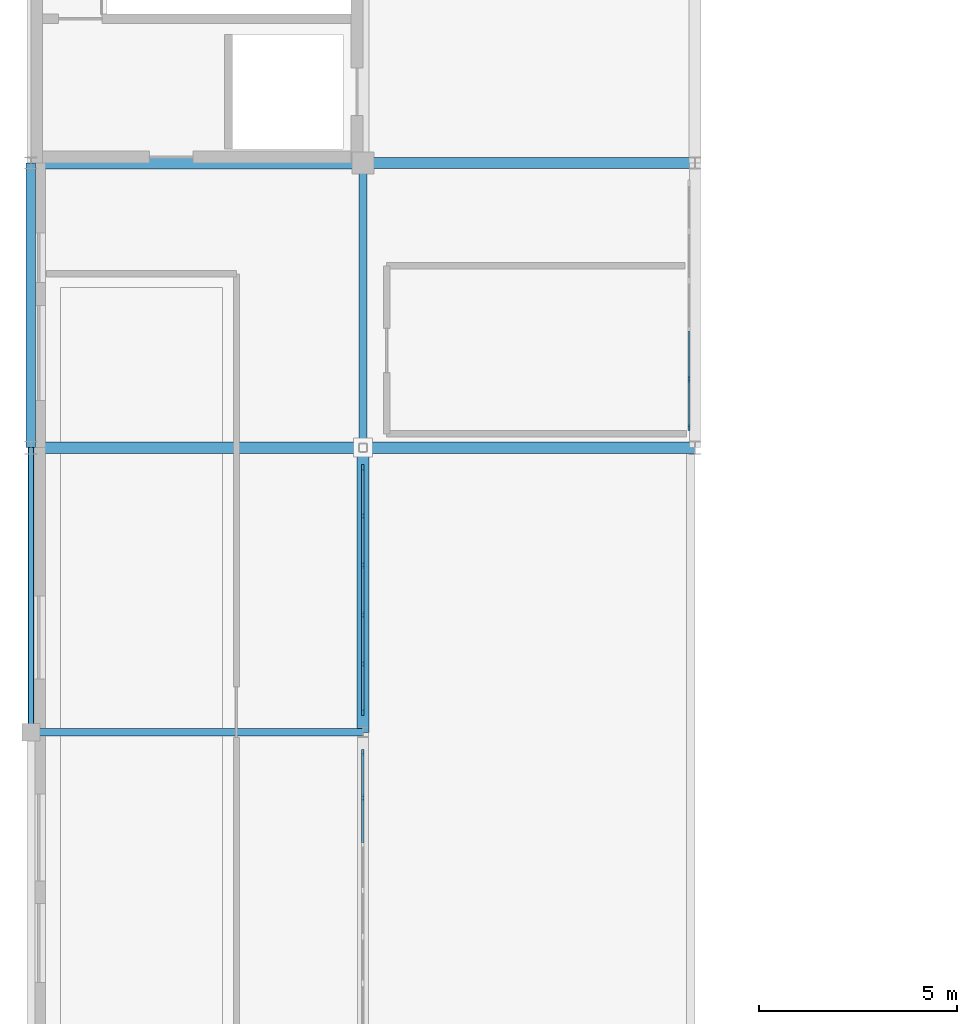
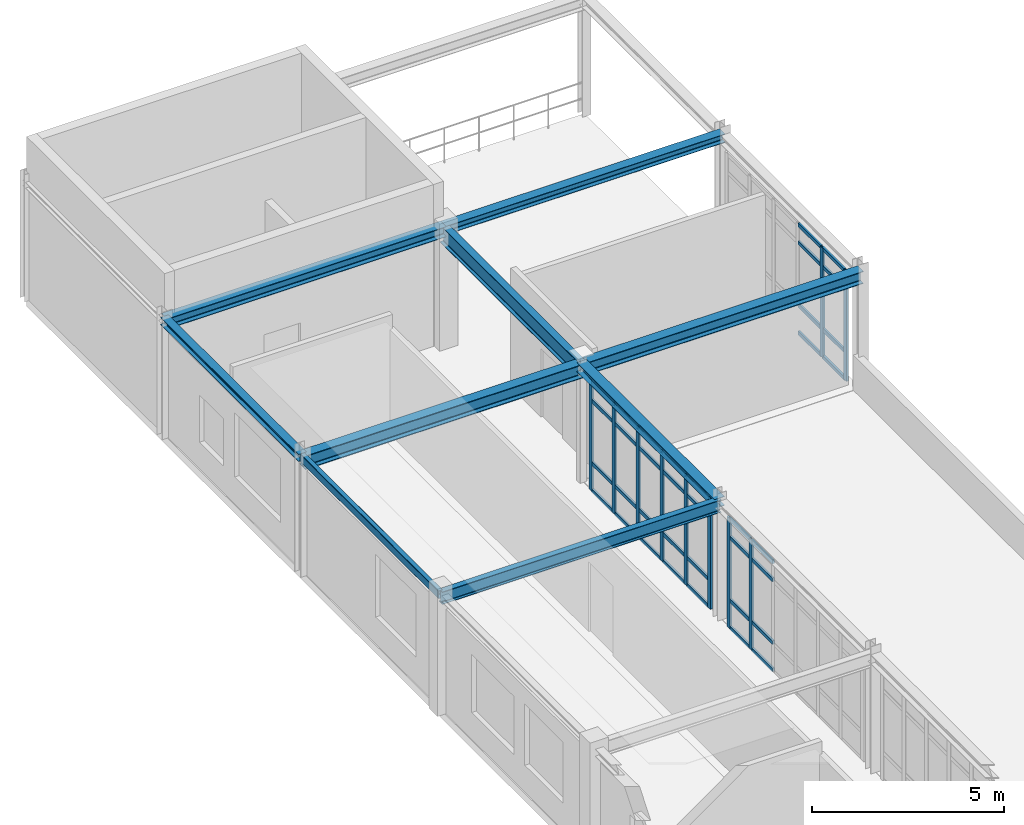
# One storey, part 12 of 58: 46 members, 9 beams, 3 elements without a shape of their own.
"""IFC4 building model written with IfcOpenShell, lengths in metres."""

from ifc_helpers import new_model, si_unit, derived_unit, direction, frame, origin, origin_2d, place, context, subcontext, project, spatial, rectangle, hollow_rectangle, i_section, extrude, material, layer, layer_set, material_profile, profile_set, type_object, element, aggregate, save


model = new_model("IFC4")

# Units and contexts
model_context = context("Model", 3, precision=1e-05, world=origin(), true_north=direction((0.0, 1.0)))
body_context = subcontext(model_context, "Body", "Model", "MODEL_VIEW")
ifc_project = project(units=[si_unit("LENGTHUNIT", "METRE"), si_unit("AREAUNIT", "SQUARE_METRE"), si_unit("VOLUMEUNIT", "CUBIC_METRE"), si_unit("PLANEANGLEUNIT", "RADIAN"), si_unit("MASSUNIT", "GRAM", prefix="KILO"), derived_unit("THERMALTRANSMITTANCEUNIT", [(si_unit("POWERUNIT", "WATT"), 1), (si_unit("AREAUNIT", "SQUARE_METRE"), -1), (si_unit("THERMODYNAMICTEMPERATUREUNIT", "KELVIN"), -1)])], contexts=[model_context])

# Site, building, storey
site_placement = place(None, origin())
site = spatial("IfcSite", under=ifc_project, at=site_placement, CompositionType="ELEMENT")
building_placement = place(site_placement, origin())
building = spatial("IfcBuilding", under=site, at=building_placement, Name="Yasenodar Specialist Clinic", CompositionType="ELEMENT")
storey_placement = place(building_placement, frame((0.0, 0.0, 21.300048828125)))
storey = spatial("IfcBuildingStorey", under=building, at=storey_placement, Name="L05", CompositionType="ELEMENT", Elevation=21.300048828125)

# Beams
ifc_material_1 = material(Name="Steel S355", Category="steel")
ifc_material_profile_1 = material_profile(ifc_material_1, i_section(OverallWidth=0.280029296875, OverallDepth=0.27001953125, WebThickness=0.008056640625, FlangeThickness=0.012939453125, FilletRadius=0.02392578125, at=origin_2d()), Name="HEA 280")
ifc_profile_set_1 = profile_set([ifc_material_profile_1], Name="Steel S355")
beam_type_1 = type_object("IfcBeamType", Name="BM-HEA280", PredefinedType="BEAM", material=ifc_profile_set_1)
beam_1_placement = place(storey_placement, frame((8.39990234375, 97.199951171875, 3.6650390625), z_axis=(1.0, 0.0, 0.0), x_axis=(0.0, 1.0, 0.0)))
element("IfcBeam", 1, at=beam_1_placement, inside=storey, type_object=beam_type_1, Name="L05 Primary E-W Girder", PredefinedType="BEAM", context=body_context, shape_type="SweptSolid", body=[
    extrude(i_section(OverallWidth=0.280029296875, OverallDepth=0.27001953125, WebThickness=0.008056640625, FlangeThickness=0.012939453125, FilletRadius=0.02392578125, at=origin_2d()), origin(), (0.0, 0.0, 1.0), 8.400146484375),
])
ifc_material_profile_2 = material_profile(ifc_material_1, i_section(OverallWidth=0.300048828125, OverallDepth=0.2900390625, WebThickness=0.008544921875, FlangeThickness=0.013916015625, FilletRadius=0.027099609375, at=origin_2d()), Name="HEA 300")
ifc_profile_set_2 = profile_set([ifc_material_profile_2], Name="Steel S355")
beam_type_2 = type_object("IfcBeamType", Name="BM-HEA300", PredefinedType="BEAM", material=ifc_profile_set_2)
beam_2_placement = place(storey_placement, frame((8.39990234375, 82.800048828125, 3.655029296875), z_axis=(0.0, 1.0, 0.0), x_axis=(-1.0, 0.0, 0.0)))
element("IfcBeam", 2, at=beam_2_placement, inside=storey, type_object=beam_type_2, Name="L05 Primary N-S Girder", PredefinedType="BEAM", context=body_context, shape_type="SweptSolid", body=[
    extrude(i_section(OverallWidth=0.300048828125, OverallDepth=0.2900390625, WebThickness=0.008544921875, FlangeThickness=0.013916015625, FilletRadius=0.027099609375, at=origin_2d()), origin(), (0.0, 0.0, 1.0), 7.199951171875),
])
ifc_material_profile_3 = material_profile(ifc_material_1, i_section(OverallWidth=0.300048828125, OverallDepth=0.330078125, WebThickness=0.009521484375, FlangeThickness=0.0166015625, FilletRadius=0.027099609375, at=origin_2d()), Name="HEA 340")
ifc_profile_set_3 = profile_set([ifc_material_profile_3], Name="Steel S355")
beam_type_3 = type_object("IfcBeamType", Name="BM-HEA340", PredefinedType="BEAM", material=ifc_profile_set_3)
beam_3_placement = place(storey_placement, frame((0.0, 97.199951171875, 3.635009765625), z_axis=(1.0, 0.0, 0.0), x_axis=(0.0, 1.0, 0.0)))
element("IfcBeam", 3, at=beam_3_placement, inside=storey, type_object=beam_type_3, Name="L05 Primary E-W Girder", PredefinedType="BEAM", context=body_context, shape_type="SweptSolid", body=[
    extrude(i_section(OverallWidth=0.300048828125, OverallDepth=0.330078125, WebThickness=0.009521484375, FlangeThickness=0.0166015625, FilletRadius=0.027099609375, at=origin_2d()), origin(), (0.0, 0.0, 1.0), 8.39990234375),
])
ifc_material_profile_4 = material_profile(ifc_material_1, i_section(OverallWidth=0.300048828125, OverallDepth=0.389892578125, WebThickness=0.010986328125, FlangeThickness=0.01904296875, FilletRadius=0.027099609375, at=origin_2d()), Name="HEA 400")
ifc_profile_set_4 = profile_set([ifc_material_profile_4], Name="Steel S355")
beam_type_4 = type_object("IfcBeamType", Name="BM-HEA400", PredefinedType="BEAM", material=ifc_profile_set_4)
beam_4_placement = place(storey_placement, frame((8.39990234375, 90.0, 3.60498046875), z_axis=(1.0, 0.0, 0.0), x_axis=(0.0, 1.0, 0.0)))
element("IfcBeam", 4, at=beam_4_placement, inside=storey, type_object=beam_type_4, Name="L05 Primary E-W Girder", PredefinedType="BEAM", context=body_context, shape_type="SweptSolid", body=[
    extrude(i_section(OverallWidth=0.300048828125, OverallDepth=0.389892578125, WebThickness=0.010986328125, FlangeThickness=0.01904296875, FilletRadius=0.027099609375, at=origin_2d()), origin(), (0.0, 0.0, 1.0), 8.400146484375),
])
ifc_material_profile_5 = material_profile(ifc_material_1, i_section(OverallWidth=0.300048828125, OverallDepth=0.43994140625, WebThickness=0.011474609375, FlangeThickness=0.02099609375, FilletRadius=0.027099609375, at=origin_2d()), Name="HEA 450")
ifc_profile_set_5 = profile_set([ifc_material_profile_5], Name="Steel S355")
beam_type_5 = type_object("IfcBeamType", Name="BM-HEA450", PredefinedType="BEAM", material=ifc_profile_set_5)
beam_5_placement = place(storey_placement, frame((0.0, 90.0, 3.579833984375), z_axis=(1.0, 0.0, 0.0), x_axis=(0.0, 1.0, 0.0)))
element("IfcBeam", 5, at=beam_5_placement, inside=storey, type_object=beam_type_5, Name="L05 Primary E-W Girder", PredefinedType="BEAM", context=body_context, shape_type="SweptSolid", body=[
    extrude(i_section(OverallWidth=0.300048828125, OverallDepth=0.43994140625, WebThickness=0.011474609375, FlangeThickness=0.02099609375, FilletRadius=0.027099609375, at=origin_2d()), origin(), (0.0, 0.0, 1.0), 8.39990234375),
])
ifc_material_profile_6 = material_profile(ifc_material_1, i_section(OverallWidth=0.179931640625, OverallDepth=0.39990234375, WebThickness=0.008544921875, FlangeThickness=0.013427734375, FilletRadius=0.02099609375, at=origin_2d()), Name="IPE 400")
ifc_profile_set_6 = profile_set([ifc_material_profile_6], Name="Steel S355")
beam_type_6 = type_object("IfcBeamType", Name="BM-IPE400", PredefinedType="BEAM", material=ifc_profile_set_6)
beam_6_placement = place(storey_placement, frame((0.0, 82.800048828125, 3.599853515625), z_axis=(1.0, 0.0, 0.0), x_axis=(0.0, 1.0, 0.0)))
element("IfcBeam", 6, at=beam_6_placement, inside=storey, type_object=beam_type_6, Name="L05 Primary E-W Girder", PredefinedType="BEAM", context=body_context, shape_type="SweptSolid", body=[
    extrude(i_section(OverallWidth=0.179931640625, OverallDepth=0.39990234375, WebThickness=0.008544921875, FlangeThickness=0.013427734375, FilletRadius=0.02099609375, at=origin_2d()), origin(), (0.0, 0.0, 1.0), 8.39990234375),
])
ifc_material_profile_7 = material_profile(ifc_material_1, i_section(OverallWidth=0.2099609375, OverallDepth=0.550048828125, WebThickness=0.010986328125, FlangeThickness=0.01708984375, FilletRadius=0.02392578125, at=origin_2d()), Name="IPE 550")
ifc_profile_set_7 = profile_set([ifc_material_profile_7], Name="Steel S355")
beam_type_7 = type_object("IfcBeamType", Name="BM-IPE550", PredefinedType="BEAM", material=ifc_profile_set_7)
beam_7_placement = place(storey_placement, frame((8.39990234375, 90.0, 3.52490234375), z_axis=(0.0, 1.0, 0.0), x_axis=(-1.0, 0.0, 0.0)))
element("IfcBeam", 7, at=beam_7_placement, inside=storey, type_object=beam_type_7, Name="L05 Primary N-S Girder", PredefinedType="BEAM", context=body_context, shape_type="SweptSolid", body=[
    extrude(i_section(OverallWidth=0.2099609375, OverallDepth=0.550048828125, WebThickness=0.010986328125, FlangeThickness=0.01708984375, FilletRadius=0.02392578125, at=origin_2d()), origin(), (0.0, 0.0, 1.0), 7.199951171875),
])

# Curtain wall, members
ifc_material_2 = material(Name="Bronze Anodized Aluminium and Triple Low-E Glass", Category="aluminium")
ifc_layer = layer(ifc_material_2, 0.202880859375)
ifc_layer_set = layer_set([ifc_layer], Name="Bronze Anodized Aluminium and Triple Low-E Glass")
curtain_wall_type = type_object("IfcCurtainWallType", Name="CW-SYS-04", PredefinedType="USERDEFINED", material=ifc_layer_set)
curtain_wall_1_placement = place(storey_placement, origin())
curtain_wall_1 = element("IfcCurtainWall", 8, at=curtain_wall_1_placement, inside=storey, type_object=curtain_wall_type, Name="L05 Unitised Curtain Wall 141", ObjectType="UNITISED CURTAIN WALL", PredefinedType="USERDEFINED")
ifc_material_3 = material(Name="Bronze Anodized Aluminium", Category="aluminium")
ifc_material_profile_8 = material_profile(ifc_material_3, rectangle(XDim=0.06005859375, YDim=0.159912109375, at=origin_2d()), Name="CW-MULL 60x160")
ifc_profile_set_8 = profile_set([ifc_material_profile_8], Name="Bronze Anodized Aluminium")
member_type_1 = type_object("IfcMemberType", Name="CW-MULL-160", PredefinedType="MULLION", material=ifc_profile_set_8)
member_1_placement = place(storey_placement, frame((16.64990234375, 91.72802734375, 0.0), z_axis=(0.0, 0.0, 1.0), x_axis=(1.0, 0.0, 0.0)))
member_1 = element("IfcMember", 9, at=member_1_placement, type_object=member_type_1, Name="CW-04 mullion 5", PredefinedType="MULLION", context=body_context, shape_type="SweptSolid", body=[
    extrude(rectangle(XDim=0.06005859375, YDim=0.159912109375, at=origin_2d()), origin(), (0.0, 0.0, 1.0), 3.498046875),
])
member_2_placement = place(storey_placement, frame((16.64990234375, 90.510009765625, 0.0), z_axis=(0.0, 0.0, 1.0), x_axis=(1.0, 0.0, 0.0)))
member_2 = element("IfcMember", 10, at=member_2_placement, type_object=member_type_1, Name="CW-04 mullion 6", PredefinedType="MULLION", context=body_context, shape_type="SweptSolid", body=[
    extrude(rectangle(XDim=0.06005859375, YDim=0.159912109375, at=origin_2d()), origin(), (0.0, 0.0, 1.0), 3.498046875),
])

curtain_wall_2_placement = place(storey_placement, origin())
curtain_wall_2 = element("IfcCurtainWall", 11, at=curtain_wall_2_placement, inside=storey, type_object=curtain_wall_type, Name="L05 Unitised Curtain Wall 142", ObjectType="UNITISED CURTAIN WALL", PredefinedType="USERDEFINED")
member_3_placement = place(storey_placement, frame((8.39990234375, 89.489990234375, 0.0), z_axis=(0.0, 0.0, 1.0), x_axis=(1.0, 0.0, 0.0)))
member_3 = element("IfcMember", 12, at=member_3_placement, type_object=member_type_1, Name="CW-04 mullion 1", PredefinedType="MULLION", context=body_context, shape_type="SweptSolid", body=[
    extrude(rectangle(XDim=0.06005859375, YDim=0.159912109375, at=origin_2d()), origin(), (0.0, 0.0, 1.0), 3.488037109375),
])
member_4_placement = place(storey_placement, frame((8.39990234375, 88.27197265625, 0.0), z_axis=(0.0, 0.0, 1.0), x_axis=(1.0, 0.0, 0.0)))
member_4 = element("IfcMember", 13, at=member_4_placement, type_object=member_type_1, Name="CW-04 mullion 2", PredefinedType="MULLION", context=body_context, shape_type="SweptSolid", body=[
    extrude(rectangle(XDim=0.06005859375, YDim=0.159912109375, at=origin_2d()), origin(), (0.0, 0.0, 1.0), 3.488037109375),
])
member_5_placement = place(storey_placement, frame((8.39990234375, 87.02392578125, 0.0), z_axis=(0.0, 0.0, 1.0), x_axis=(1.0, 0.0, 0.0)))
member_5 = element("IfcMember", 14, at=member_5_placement, type_object=member_type_1, Name="CW-04 mullion 3", PredefinedType="MULLION", context=body_context, shape_type="SweptSolid", body=[
    extrude(rectangle(XDim=0.06005859375, YDim=0.159912109375, at=origin_2d()), origin(), (0.0, 0.0, 1.0), 3.488037109375),
])
member_6_placement = place(storey_placement, frame((8.39990234375, 85.77587890625, 0.0), z_axis=(0.0, 0.0, 1.0), x_axis=(1.0, 0.0, 0.0)))
member_6 = element("IfcMember", 15, at=member_6_placement, type_object=member_type_1, Name="CW-04 mullion 4", PredefinedType="MULLION", context=body_context, shape_type="SweptSolid", body=[
    extrude(rectangle(XDim=0.06005859375, YDim=0.159912109375, at=origin_2d()), origin(), (0.0, 0.0, 1.0), 3.488037109375),
])
member_7_placement = place(storey_placement, frame((8.39990234375, 84.528076171875, 0.0), z_axis=(0.0, 0.0, 1.0), x_axis=(1.0, 0.0, 0.0)))
member_7 = element("IfcMember", 16, at=member_7_placement, type_object=member_type_1, Name="CW-04 mullion 5", PredefinedType="MULLION", context=body_context, shape_type="SweptSolid", body=[
    extrude(rectangle(XDim=0.06005859375, YDim=0.159912109375, at=origin_2d()), origin(), (0.0, 0.0, 1.0), 3.488037109375),
])
member_8_placement = place(storey_placement, frame((8.39990234375, 83.31005859375, 0.0), z_axis=(0.0, 0.0, 1.0), x_axis=(1.0, 0.0, 0.0)))
member_8 = element("IfcMember", 17, at=member_8_placement, type_object=member_type_1, Name="CW-04 mullion 6", PredefinedType="MULLION", context=body_context, shape_type="SweptSolid", body=[
    extrude(rectangle(XDim=0.06005859375, YDim=0.159912109375, at=origin_2d()), origin(), (0.0, 0.0, 1.0), 3.488037109375),
])

curtain_wall_3_placement = place(storey_placement, origin())
curtain_wall_3 = element("IfcCurtainWall", 18, at=curtain_wall_3_placement, inside=storey, type_object=curtain_wall_type, Name="L05 Unitised Curtain Wall 143", ObjectType="UNITISED CURTAIN WALL", PredefinedType="USERDEFINED")
member_9_placement = place(storey_placement, frame((8.39990234375, 82.2900390625, 0.0), z_axis=(0.0, 0.0, 1.0), x_axis=(1.0, 0.0, 0.0)))
member_9 = element("IfcMember", 19, at=member_9_placement, type_object=member_type_1, Name="CW-04 mullion 1", PredefinedType="MULLION", context=body_context, shape_type="SweptSolid", body=[
    extrude(rectangle(XDim=0.06005859375, YDim=0.159912109375, at=origin_2d()), origin(), (0.0, 0.0, 1.0), 3.498046875),
])
member_10_placement = place(storey_placement, frame((8.39990234375, 81.146728515625, 0.0), z_axis=(0.0, 0.0, 1.0), x_axis=(1.0, 0.0, 0.0)))
member_10 = element("IfcMember", 20, at=member_10_placement, type_object=member_type_1, Name="CW-04 mullion 2", PredefinedType="MULLION", context=body_context, shape_type="SweptSolid", body=[
    extrude(rectangle(XDim=0.06005859375, YDim=0.159912109375, at=origin_2d()), origin(), (0.0, 0.0, 1.0), 3.498046875),
])

# Member
ifc_material_profile_9 = material_profile(ifc_material_3, rectangle(XDim=0.06005859375, YDim=0.1201171875, at=origin_2d()), Name="CW-TRAN 60x120")
ifc_profile_set_9 = profile_set([ifc_material_profile_9], Name="Bronze Anodized Aluminium")
member_type_2 = type_object("IfcMemberType", Name="CW-TRAN-120", PredefinedType="USERDEFINED", material=ifc_profile_set_9)
member_11_placement = place(storey_placement, frame((16.64990234375, 92.946044921875, 0.030029296875), z_axis=(0.0, -1.0, 0.0), x_axis=(1.0, 0.0, 0.0)))
member_11 = element("IfcMember", 21, at=member_11_placement, type_object=member_type_2, Name="CW-04 transom 4.1", ObjectType="TRANSOM", PredefinedType="USERDEFINED", context=body_context, shape_type="SweptSolid", body=[
    extrude(rectangle(XDim=0.06005859375, YDim=0.1201171875, at=origin_2d()), origin(), (0.0, 0.0, 1.0), 1.18798828125),
])

member_12_placement = place(storey_placement, frame((16.64990234375, 92.946044921875, 0.89990234375), z_axis=(0.0, -1.0, 0.0), x_axis=(1.0, 0.0, 0.0)))
member_12 = element("IfcMember", 22, at=member_12_placement, type_object=member_type_2, Name="CW-04 transom 4.2", ObjectType="TRANSOM", PredefinedType="USERDEFINED", context=body_context, shape_type="SweptSolid", body=[
    extrude(rectangle(XDim=0.06005859375, YDim=0.1201171875, at=origin_2d()), origin(), (0.0, 0.0, 1.0), 1.18798828125),
])

member_13_placement = place(storey_placement, frame((16.64990234375, 92.946044921875, 2.89794921875), z_axis=(0.0, -1.0, 0.0), x_axis=(1.0, 0.0, 0.0)))
member_13 = element("IfcMember", 23, at=member_13_placement, type_object=member_type_2, Name="CW-04 transom 4.3", ObjectType="TRANSOM", PredefinedType="USERDEFINED", context=body_context, shape_type="SweptSolid", body=[
    extrude(rectangle(XDim=0.06005859375, YDim=0.1201171875, at=origin_2d()), origin(), (0.0, 0.0, 1.0), 1.18798828125),
])

member_14_placement = place(storey_placement, frame((16.64990234375, 92.946044921875, 3.468017578125), z_axis=(0.0, -1.0, 0.0), x_axis=(1.0, 0.0, 0.0)))
member_14 = element("IfcMember", 24, at=member_14_placement, type_object=member_type_2, Name="CW-04 transom 4.4", ObjectType="TRANSOM", PredefinedType="USERDEFINED", context=body_context, shape_type="SweptSolid", body=[
    extrude(rectangle(XDim=0.06005859375, YDim=0.1201171875, at=origin_2d()), origin(), (0.0, 0.0, 1.0), 1.18798828125),
])

member_15_placement = place(storey_placement, frame((16.64990234375, 91.697998046875, 0.030029296875), z_axis=(0.0, -1.0, 0.0), x_axis=(1.0, 0.0, 0.0)))
member_15 = element("IfcMember", 25, at=member_15_placement, type_object=member_type_2, Name="CW-04 transom 5.1", ObjectType="TRANSOM", PredefinedType="USERDEFINED", context=body_context, shape_type="SweptSolid", body=[
    extrude(rectangle(XDim=0.06005859375, YDim=0.1201171875, at=origin_2d()), origin(), (0.0, 0.0, 1.0), 1.157958984375),
])

member_16_placement = place(storey_placement, frame((16.64990234375, 91.697998046875, 0.89990234375), z_axis=(0.0, -1.0, 0.0), x_axis=(1.0, 0.0, 0.0)))
member_16 = element("IfcMember", 26, at=member_16_placement, type_object=member_type_2, Name="CW-04 transom 5.2", ObjectType="TRANSOM", PredefinedType="USERDEFINED", context=body_context, shape_type="SweptSolid", body=[
    extrude(rectangle(XDim=0.06005859375, YDim=0.1201171875, at=origin_2d()), origin(), (0.0, 0.0, 1.0), 1.157958984375),
])

member_17_placement = place(storey_placement, frame((16.64990234375, 91.697998046875, 2.89794921875), z_axis=(0.0, -1.0, 0.0), x_axis=(1.0, 0.0, 0.0)))
member_17 = element("IfcMember", 27, at=member_17_placement, type_object=member_type_2, Name="CW-04 transom 5.3", ObjectType="TRANSOM", PredefinedType="USERDEFINED", context=body_context, shape_type="SweptSolid", body=[
    extrude(rectangle(XDim=0.06005859375, YDim=0.1201171875, at=origin_2d()), origin(), (0.0, 0.0, 1.0), 1.157958984375),
])

member_18_placement = place(storey_placement, frame((16.64990234375, 91.697998046875, 3.468017578125), z_axis=(0.0, -1.0, 0.0), x_axis=(1.0, 0.0, 0.0)))
member_18 = element("IfcMember", 28, at=member_18_placement, type_object=member_type_2, Name="CW-04 transom 5.4", ObjectType="TRANSOM", PredefinedType="USERDEFINED", context=body_context, shape_type="SweptSolid", body=[
    extrude(rectangle(XDim=0.06005859375, YDim=0.1201171875, at=origin_2d()), origin(), (0.0, 0.0, 1.0), 1.157958984375),
])

aggregate(curtain_wall_1, [member_1, member_2, member_11, member_12, member_13, member_14, member_15, member_16, member_17, member_18])

member_19_placement = place(storey_placement, frame((8.39990234375, 89.4599609375, 0.030029296875), z_axis=(0.0, -1.0, 0.0), x_axis=(1.0, 0.0, 0.0)))
member_19 = element("IfcMember", 29, at=member_19_placement, type_object=member_type_2, Name="CW-04 transom 1.1", ObjectType="TRANSOM", PredefinedType="USERDEFINED", context=body_context, shape_type="SweptSolid", body=[
    extrude(rectangle(XDim=0.06005859375, YDim=0.1201171875, at=origin_2d()), origin(), (0.0, 0.0, 1.0), 1.157958984375),
])

member_20_placement = place(storey_placement, frame((8.39990234375, 89.4599609375, 0.89990234375), z_axis=(0.0, -1.0, 0.0), x_axis=(1.0, 0.0, 0.0)))
member_20 = element("IfcMember", 30, at=member_20_placement, type_object=member_type_2, Name="CW-04 transom 1.2", ObjectType="TRANSOM", PredefinedType="USERDEFINED", context=body_context, shape_type="SweptSolid", body=[
    extrude(rectangle(XDim=0.06005859375, YDim=0.1201171875, at=origin_2d()), origin(), (0.0, 0.0, 1.0), 1.157958984375),
])

member_21_placement = place(storey_placement, frame((8.39990234375, 89.4599609375, 2.887939453125), z_axis=(0.0, -1.0, 0.0), x_axis=(1.0, 0.0, 0.0)))
member_21 = element("IfcMember", 31, at=member_21_placement, type_object=member_type_2, Name="CW-04 transom 1.3", ObjectType="TRANSOM", PredefinedType="USERDEFINED", context=body_context, shape_type="SweptSolid", body=[
    extrude(rectangle(XDim=0.06005859375, YDim=0.1201171875, at=origin_2d()), origin(), (0.0, 0.0, 1.0), 1.157958984375),
])

member_22_placement = place(storey_placement, frame((8.39990234375, 89.4599609375, 3.4580078125), z_axis=(0.0, -1.0, 0.0), x_axis=(1.0, 0.0, 0.0)))
member_22 = element("IfcMember", 32, at=member_22_placement, type_object=member_type_2, Name="CW-04 transom 1.4", ObjectType="TRANSOM", PredefinedType="USERDEFINED", context=body_context, shape_type="SweptSolid", body=[
    extrude(rectangle(XDim=0.06005859375, YDim=0.1201171875, at=origin_2d()), origin(), (0.0, 0.0, 1.0), 1.157958984375),
])

member_23_placement = place(storey_placement, frame((8.39990234375, 88.241943359375, 0.030029296875), z_axis=(0.0, -1.0, 0.0), x_axis=(1.0, 0.0, 0.0)))
member_23 = element("IfcMember", 33, at=member_23_placement, type_object=member_type_2, Name="CW-04 transom 2.1", ObjectType="TRANSOM", PredefinedType="USERDEFINED", context=body_context, shape_type="SweptSolid", body=[
    extrude(rectangle(XDim=0.06005859375, YDim=0.1201171875, at=origin_2d()), origin(), (0.0, 0.0, 1.0), 1.18798828125),
])

member_24_placement = place(storey_placement, frame((8.39990234375, 88.241943359375, 0.89990234375), z_axis=(0.0, -1.0, 0.0), x_axis=(1.0, 0.0, 0.0)))
member_24 = element("IfcMember", 34, at=member_24_placement, type_object=member_type_2, Name="CW-04 transom 2.2", ObjectType="TRANSOM", PredefinedType="USERDEFINED", context=body_context, shape_type="SweptSolid", body=[
    extrude(rectangle(XDim=0.06005859375, YDim=0.1201171875, at=origin_2d()), origin(), (0.0, 0.0, 1.0), 1.18798828125),
])

member_25_placement = place(storey_placement, frame((8.39990234375, 88.241943359375, 2.887939453125), z_axis=(0.0, -1.0, 0.0), x_axis=(1.0, 0.0, 0.0)))
member_25 = element("IfcMember", 35, at=member_25_placement, type_object=member_type_2, Name="CW-04 transom 2.3", ObjectType="TRANSOM", PredefinedType="USERDEFINED", context=body_context, shape_type="SweptSolid", body=[
    extrude(rectangle(XDim=0.06005859375, YDim=0.1201171875, at=origin_2d()), origin(), (0.0, 0.0, 1.0), 1.18798828125),
])

member_26_placement = place(storey_placement, frame((8.39990234375, 88.241943359375, 3.4580078125), z_axis=(0.0, -1.0, 0.0), x_axis=(1.0, 0.0, 0.0)))
member_26 = element("IfcMember", 36, at=member_26_placement, type_object=member_type_2, Name="CW-04 transom 2.4", ObjectType="TRANSOM", PredefinedType="USERDEFINED", context=body_context, shape_type="SweptSolid", body=[
    extrude(rectangle(XDim=0.06005859375, YDim=0.1201171875, at=origin_2d()), origin(), (0.0, 0.0, 1.0), 1.18798828125),
])

member_27_placement = place(storey_placement, frame((8.39990234375, 86.993896484375, 0.030029296875), z_axis=(0.0, -1.0, 0.0), x_axis=(1.0, 0.0, 0.0)))
member_27 = element("IfcMember", 37, at=member_27_placement, type_object=member_type_2, Name="CW-04 transom 3.1", ObjectType="TRANSOM", PredefinedType="USERDEFINED", context=body_context, shape_type="SweptSolid", body=[
    extrude(rectangle(XDim=0.06005859375, YDim=0.1201171875, at=origin_2d()), origin(), (0.0, 0.0, 1.0), 1.18798828125),
])

member_28_placement = place(storey_placement, frame((8.39990234375, 86.993896484375, 0.89990234375), z_axis=(0.0, -1.0, 0.0), x_axis=(1.0, 0.0, 0.0)))
member_28 = element("IfcMember", 38, at=member_28_placement, type_object=member_type_2, Name="CW-04 transom 3.2", ObjectType="TRANSOM", PredefinedType="USERDEFINED", context=body_context, shape_type="SweptSolid", body=[
    extrude(rectangle(XDim=0.06005859375, YDim=0.1201171875, at=origin_2d()), origin(), (0.0, 0.0, 1.0), 1.18798828125),
])

member_29_placement = place(storey_placement, frame((8.39990234375, 86.993896484375, 2.887939453125), z_axis=(0.0, -1.0, 0.0), x_axis=(1.0, 0.0, 0.0)))
member_29 = element("IfcMember", 39, at=member_29_placement, type_object=member_type_2, Name="CW-04 transom 3.3", ObjectType="TRANSOM", PredefinedType="USERDEFINED", context=body_context, shape_type="SweptSolid", body=[
    extrude(rectangle(XDim=0.06005859375, YDim=0.1201171875, at=origin_2d()), origin(), (0.0, 0.0, 1.0), 1.18798828125),
])

member_30_placement = place(storey_placement, frame((8.39990234375, 86.993896484375, 3.4580078125), z_axis=(0.0, -1.0, 0.0), x_axis=(1.0, 0.0, 0.0)))
member_30 = element("IfcMember", 40, at=member_30_placement, type_object=member_type_2, Name="CW-04 transom 3.4", ObjectType="TRANSOM", PredefinedType="USERDEFINED", context=body_context, shape_type="SweptSolid", body=[
    extrude(rectangle(XDim=0.06005859375, YDim=0.1201171875, at=origin_2d()), origin(), (0.0, 0.0, 1.0), 1.18798828125),
])

member_31_placement = place(storey_placement, frame((8.39990234375, 85.74609375, 0.030029296875), z_axis=(0.0, -1.0, 0.0), x_axis=(1.0, 0.0, 0.0)))
member_31 = element("IfcMember", 41, at=member_31_placement, type_object=member_type_2, Name="CW-04 transom 4.1", ObjectType="TRANSOM", PredefinedType="USERDEFINED", context=body_context, shape_type="SweptSolid", body=[
    extrude(rectangle(XDim=0.06005859375, YDim=0.1201171875, at=origin_2d()), origin(), (0.0, 0.0, 1.0), 1.18798828125),
])

member_32_placement = place(storey_placement, frame((8.39990234375, 85.74609375, 0.89990234375), z_axis=(0.0, -1.0, 0.0), x_axis=(1.0, 0.0, 0.0)))
member_32 = element("IfcMember", 42, at=member_32_placement, type_object=member_type_2, Name="CW-04 transom 4.2", ObjectType="TRANSOM", PredefinedType="USERDEFINED", context=body_context, shape_type="SweptSolid", body=[
    extrude(rectangle(XDim=0.06005859375, YDim=0.1201171875, at=origin_2d()), origin(), (0.0, 0.0, 1.0), 1.18798828125),
])

member_33_placement = place(storey_placement, frame((8.39990234375, 85.74609375, 2.887939453125), z_axis=(0.0, -1.0, 0.0), x_axis=(1.0, 0.0, 0.0)))
member_33 = element("IfcMember", 43, at=member_33_placement, type_object=member_type_2, Name="CW-04 transom 4.3", ObjectType="TRANSOM", PredefinedType="USERDEFINED", context=body_context, shape_type="SweptSolid", body=[
    extrude(rectangle(XDim=0.06005859375, YDim=0.1201171875, at=origin_2d()), origin(), (0.0, 0.0, 1.0), 1.18798828125),
])

member_34_placement = place(storey_placement, frame((8.39990234375, 85.74609375, 3.4580078125), z_axis=(0.0, -1.0, 0.0), x_axis=(1.0, 0.0, 0.0)))
member_34 = element("IfcMember", 44, at=member_34_placement, type_object=member_type_2, Name="CW-04 transom 4.4", ObjectType="TRANSOM", PredefinedType="USERDEFINED", context=body_context, shape_type="SweptSolid", body=[
    extrude(rectangle(XDim=0.06005859375, YDim=0.1201171875, at=origin_2d()), origin(), (0.0, 0.0, 1.0), 1.18798828125),
])

member_35_placement = place(storey_placement, frame((8.39990234375, 84.498046875, 0.030029296875), z_axis=(0.0, -1.0, 0.0), x_axis=(1.0, 0.0, 0.0)))
member_35 = element("IfcMember", 45, at=member_35_placement, type_object=member_type_2, Name="CW-04 transom 5.1", ObjectType="TRANSOM", PredefinedType="USERDEFINED", context=body_context, shape_type="SweptSolid", body=[
    extrude(rectangle(XDim=0.06005859375, YDim=0.1201171875, at=origin_2d()), origin(), (0.0, 0.0, 1.0), 1.157958984375),
])

member_36_placement = place(storey_placement, frame((8.39990234375, 84.498046875, 0.89990234375), z_axis=(0.0, -1.0, 0.0), x_axis=(1.0, 0.0, 0.0)))
member_36 = element("IfcMember", 46, at=member_36_placement, type_object=member_type_2, Name="CW-04 transom 5.2", ObjectType="TRANSOM", PredefinedType="USERDEFINED", context=body_context, shape_type="SweptSolid", body=[
    extrude(rectangle(XDim=0.06005859375, YDim=0.1201171875, at=origin_2d()), origin(), (0.0, 0.0, 1.0), 1.157958984375),
])

member_37_placement = place(storey_placement, frame((8.39990234375, 84.498046875, 2.887939453125), z_axis=(0.0, -1.0, 0.0), x_axis=(1.0, 0.0, 0.0)))
member_37 = element("IfcMember", 47, at=member_37_placement, type_object=member_type_2, Name="CW-04 transom 5.3", ObjectType="TRANSOM", PredefinedType="USERDEFINED", context=body_context, shape_type="SweptSolid", body=[
    extrude(rectangle(XDim=0.06005859375, YDim=0.1201171875, at=origin_2d()), origin(), (0.0, 0.0, 1.0), 1.157958984375),
])

member_38_placement = place(storey_placement, frame((8.39990234375, 84.498046875, 3.4580078125), z_axis=(0.0, -1.0, 0.0), x_axis=(1.0, 0.0, 0.0)))
member_38 = element("IfcMember", 48, at=member_38_placement, type_object=member_type_2, Name="CW-04 transom 5.4", ObjectType="TRANSOM", PredefinedType="USERDEFINED", context=body_context, shape_type="SweptSolid", body=[
    extrude(rectangle(XDim=0.06005859375, YDim=0.1201171875, at=origin_2d()), origin(), (0.0, 0.0, 1.0), 1.157958984375),
])

aggregate(curtain_wall_2, [member_3, member_4, member_5, member_6, member_7, member_8, member_19, member_20, member_21, member_22, member_23, member_24, member_25, member_26, member_27, member_28, member_29, member_30, member_31, member_32, member_33, member_34, member_35, member_36, member_37, member_38])

member_39_placement = place(storey_placement, frame((8.39990234375, 82.260009765625, 0.030029296875), z_axis=(0.0, -1.0, 0.0), x_axis=(1.0, 0.0, 0.0)))
member_39 = element("IfcMember", 49, at=member_39_placement, type_object=member_type_2, Name="CW-04 transom 1.1", ObjectType="TRANSOM", PredefinedType="USERDEFINED", context=body_context, shape_type="SweptSolid", body=[
    extrude(rectangle(XDim=0.06005859375, YDim=0.1201171875, at=origin_2d()), origin(), (0.0, 0.0, 1.0), 1.083251953125),
])

member_40_placement = place(storey_placement, frame((8.39990234375, 82.260009765625, 0.89990234375), z_axis=(0.0, -1.0, 0.0), x_axis=(1.0, 0.0, 0.0)))
member_40 = element("IfcMember", 50, at=member_40_placement, type_object=member_type_2, Name="CW-04 transom 1.2", ObjectType="TRANSOM", PredefinedType="USERDEFINED", context=body_context, shape_type="SweptSolid", body=[
    extrude(rectangle(XDim=0.06005859375, YDim=0.1201171875, at=origin_2d()), origin(), (0.0, 0.0, 1.0), 1.083251953125),
])

member_41_placement = place(storey_placement, frame((8.39990234375, 82.260009765625, 2.89794921875), z_axis=(0.0, -1.0, 0.0), x_axis=(1.0, 0.0, 0.0)))
member_41 = element("IfcMember", 51, at=member_41_placement, type_object=member_type_2, Name="CW-04 transom 1.3", ObjectType="TRANSOM", PredefinedType="USERDEFINED", context=body_context, shape_type="SweptSolid", body=[
    extrude(rectangle(XDim=0.06005859375, YDim=0.1201171875, at=origin_2d()), origin(), (0.0, 0.0, 1.0), 1.083251953125),
])

member_42_placement = place(storey_placement, frame((8.39990234375, 82.260009765625, 3.468017578125), z_axis=(0.0, -1.0, 0.0), x_axis=(1.0, 0.0, 0.0)))
member_42 = element("IfcMember", 52, at=member_42_placement, type_object=member_type_2, Name="CW-04 transom 1.4", ObjectType="TRANSOM", PredefinedType="USERDEFINED", context=body_context, shape_type="SweptSolid", body=[
    extrude(rectangle(XDim=0.06005859375, YDim=0.1201171875, at=origin_2d()), origin(), (0.0, 0.0, 1.0), 1.083251953125),
])

member_43_placement = place(storey_placement, frame((8.39990234375, 81.11669921875, 0.030029296875), z_axis=(0.0, -1.0, 0.0), x_axis=(1.0, 0.0, 0.0)))
member_43 = element("IfcMember", 53, at=member_43_placement, type_object=member_type_2, Name="CW-04 transom 2.1", ObjectType="TRANSOM", PredefinedType="USERDEFINED", context=body_context, shape_type="SweptSolid", body=[
    extrude(rectangle(XDim=0.06005859375, YDim=0.1201171875, at=origin_2d()), origin(), (0.0, 0.0, 1.0), 1.11328125),
])

member_44_placement = place(storey_placement, frame((8.39990234375, 81.11669921875, 0.89990234375), z_axis=(0.0, -1.0, 0.0), x_axis=(1.0, 0.0, 0.0)))
member_44 = element("IfcMember", 54, at=member_44_placement, type_object=member_type_2, Name="CW-04 transom 2.2", ObjectType="TRANSOM", PredefinedType="USERDEFINED", context=body_context, shape_type="SweptSolid", body=[
    extrude(rectangle(XDim=0.06005859375, YDim=0.1201171875, at=origin_2d()), origin(), (0.0, 0.0, 1.0), 1.11328125),
])

member_45_placement = place(storey_placement, frame((8.39990234375, 81.11669921875, 2.89794921875), z_axis=(0.0, -1.0, 0.0), x_axis=(1.0, 0.0, 0.0)))
member_45 = element("IfcMember", 55, at=member_45_placement, type_object=member_type_2, Name="CW-04 transom 2.3", ObjectType="TRANSOM", PredefinedType="USERDEFINED", context=body_context, shape_type="SweptSolid", body=[
    extrude(rectangle(XDim=0.06005859375, YDim=0.1201171875, at=origin_2d()), origin(), (0.0, 0.0, 1.0), 1.11328125),
])

member_46_placement = place(storey_placement, frame((8.39990234375, 81.11669921875, 3.468017578125), z_axis=(0.0, -1.0, 0.0), x_axis=(1.0, 0.0, 0.0)))
member_46 = element("IfcMember", 56, at=member_46_placement, type_object=member_type_2, Name="CW-04 transom 2.4", ObjectType="TRANSOM", PredefinedType="USERDEFINED", context=body_context, shape_type="SweptSolid", body=[
    extrude(rectangle(XDim=0.06005859375, YDim=0.1201171875, at=origin_2d()), origin(), (0.0, 0.0, 1.0), 1.11328125),
])

aggregate(curtain_wall_3, [member_9, member_10, member_39, member_40, member_41, member_42, member_43, member_44, member_45, member_46])

# Beams
ifc_material_profile_10 = material_profile(ifc_material_1, i_section(OverallWidth=0.239990234375, OverallDepth=0.22998046875, WebThickness=0.007568359375, FlangeThickness=0.011962890625, FilletRadius=0.02099609375, at=origin_2d()), Name="HEA 240")
ifc_profile_set_10 = profile_set([ifc_material_profile_10], Name="Steel S355")
beam_type_8 = type_object("IfcBeamType", Name="SP-HEA240", PredefinedType="SPANDREL", material=ifc_profile_set_10)
beam_8_placement = place(storey_placement, frame((0.0, 90.0, 3.68505859375), z_axis=(0.0, 1.0, 0.0), x_axis=(-1.0, 0.0, 0.0)))
element("IfcBeam", 57, at=beam_8_placement, inside=storey, type_object=beam_type_8, Name="L05 Perimeter Spandrel Beam", PredefinedType="SPANDREL", context=body_context, shape_type="SweptSolid", body=[
    extrude(i_section(OverallWidth=0.239990234375, OverallDepth=0.22998046875, WebThickness=0.007568359375, FlangeThickness=0.011962890625, FilletRadius=0.02099609375, at=origin_2d()), origin(), (0.0, 0.0, 1.0), 7.199951171875),
])
ifc_material_profile_11 = material_profile(ifc_material_1, hollow_rectangle(XDim=0.14990234375, YDim=0.25, WallThickness=0.010009765625, InnerFilletRadius=0.014892578125, OuterFilletRadius=0.02490234375, at=origin_2d()), Name="RHS 250x150x10")
ifc_profile_set_11 = profile_set([ifc_material_profile_11], Name="Steel S355")
beam_type_9 = type_object("IfcBeamType", Name="SP-RHS250", PredefinedType="SPANDREL", material=ifc_profile_set_11)
beam_9_placement = place(storey_placement, frame((0.0, 82.800048828125, 3.675048828125), z_axis=(0.0, 1.0, 0.0), x_axis=(-1.0, 0.0, 0.0)))
element("IfcBeam", 58, at=beam_9_placement, inside=storey, type_object=beam_type_9, Name="L05 Perimeter Spandrel Beam", PredefinedType="SPANDREL", context=body_context, shape_type="SweptSolid", body=[
    extrude(hollow_rectangle(XDim=0.14990234375, YDim=0.25, WallThickness=0.010009765625, InnerFilletRadius=0.014892578125, OuterFilletRadius=0.02490234375, at=origin_2d()), origin(), (0.0, 0.0, 1.0), 7.199951171875),
])

save(model, "model.ifc")
